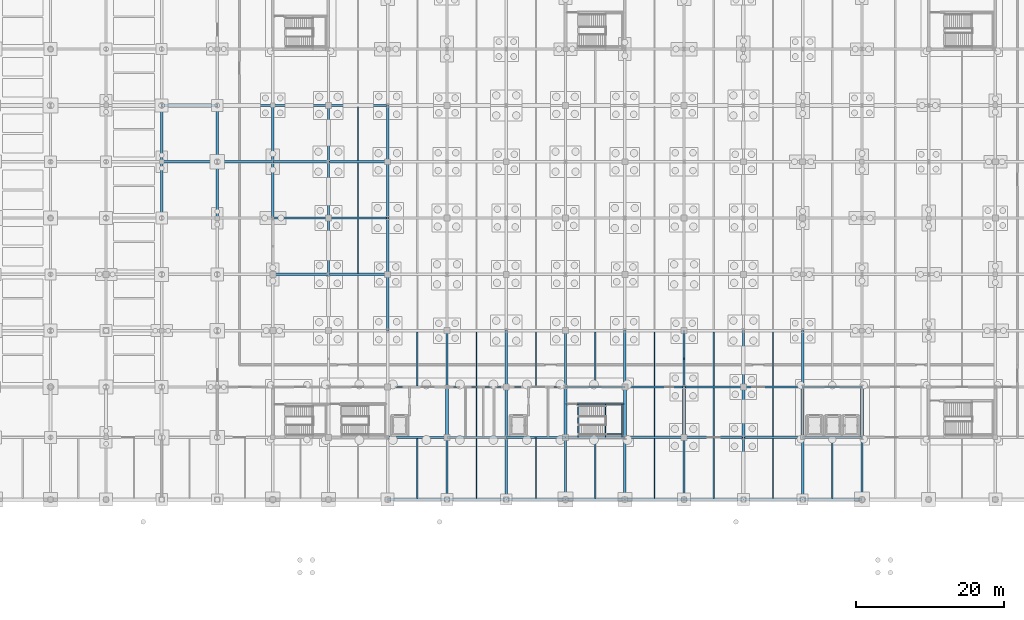
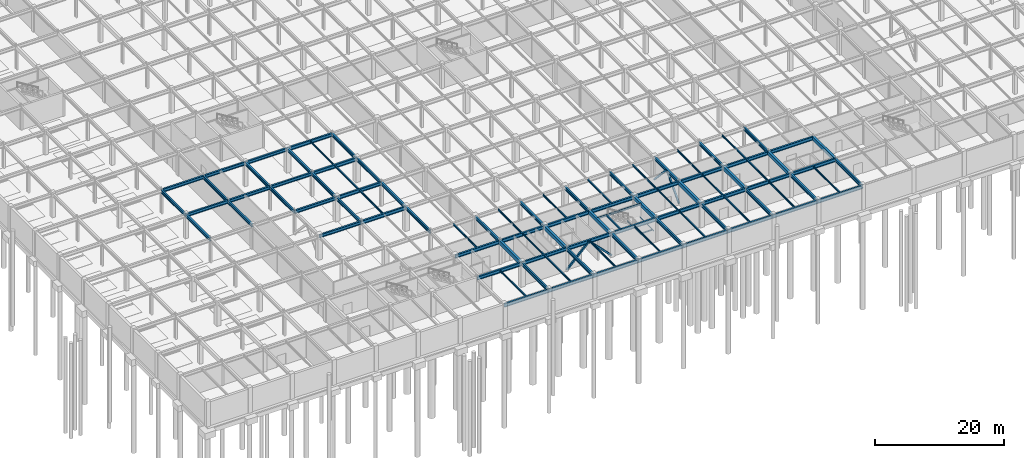
# One storey, part 30 of 53: 99 beams, 4 members.
"""IFC4 building model written with IfcOpenShell, lengths in metres."""

from ifc_helpers import new_model, si_unit, direction, frame, origin, origin_2d, place, context, subcontext, project, spatial, rectangle, hollow_rectangle, i_section, extrude, material, material_profile, profile_set, type_object, element, save


model = new_model("IFC4")

# Units and contexts
model_context = context("Model", 3, precision=1e-05, world=origin(), true_north=direction((0.0, 1.0)))
body_context = subcontext(model_context, "Body", "Model", "MODEL_VIEW")
ifc_project = project(units=[si_unit("LENGTHUNIT", "METRE"), si_unit("AREAUNIT", "SQUARE_METRE"), si_unit("VOLUMEUNIT", "CUBIC_METRE"), si_unit("PLANEANGLEUNIT", "RADIAN"), si_unit("MASSUNIT", "GRAM", prefix="KILO")], contexts=[model_context])

# Site, building, storey
site_placement = place(None, origin())
site = spatial("IfcSite", under=ifc_project, at=site_placement, CompositionType="ELEMENT")
building_placement = place(site_placement, origin())
building = spatial("IfcBuilding", under=site, at=building_placement, Name="Shalkamar Park Central Library", CompositionType="ELEMENT")
storey_placement = place(building_placement, frame((0.0, 0.0, -4.800048828125)))
storey = spatial("IfcBuildingStorey", under=building, at=storey_placement, Name="B1", CompositionType="ELEMENT", Elevation=-4.800048828125)

# Beams
ifc_material_1 = material(Name="Steel S355", Category="steel")
ifc_material_profile_1 = material_profile(ifc_material_1, i_section(OverallWidth=0.10009765625, OverallDepth=0.199951171875, WebThickness=0.005615234375, FlangeThickness=0.008544921875, FilletRadius=0.011962890625, at=origin_2d()), Name="IPE 200")
ifc_profile_set_1 = profile_set([ifc_material_profile_1], Name="Steel S355")
beam_type_1 = type_object("IfcBeamType", Name="Composite Floor Joist IPE200", PredefinedType="JOIST", material=ifc_profile_set_1)
for number, where, z_axis, x_axis, name in (
    (1, (202.39990234375, 248.39990234375, 2.02001953125), (0.0, 1.0, 0.0), (-1.0, 0.0, 0.0), "Stair Half-Landing Beam ST-T2-B1-1"),
    (2, (204.6201171875, 248.39990234375, 2.02001953125), (0.0, 1.0, 0.0), (-1.0, 0.0, 0.0), "Stair Half-Landing Beam ST-T2-B1-2"),
):
    element("IfcBeam", number, at=place(storey_placement, frame(where, z_axis=z_axis, x_axis=x_axis)), inside=storey, type_object=beam_type_1, Name=name, PredefinedType="JOIST", context=body_context, shape_type="SweptSolid", body=[
        extrude(i_section(OverallWidth=0.10009765625, OverallDepth=0.199951171875, WebThickness=0.005615234375, FlangeThickness=0.008544921875, FilletRadius=0.011962890625, at=origin_2d()), origin(), (0.0, 0.0, 1.0), 4.5),
    ])
beam_1_placement = place(storey_placement, frame((202.39990234375, 248.85009765625, 2.02001953125), z_axis=(1.0, 0.0, 0.0), x_axis=(0.0, 1.0, 0.0)))
element("IfcBeam", 3, at=beam_1_placement, inside=storey, type_object=beam_type_1, Name="Stair Half-Landing Cross Tie ST-T2-B1-3", PredefinedType="JOIST", context=body_context, shape_type="SweptSolid", body=[
    extrude(i_section(OverallWidth=0.10009765625, OverallDepth=0.199951171875, WebThickness=0.005615234375, FlangeThickness=0.008544921875, FilletRadius=0.011962890625, at=origin_2d()), origin(), (0.0, 0.0, 1.0), 2.22021484375),
])
ifc_material_profile_2 = material_profile(ifc_material_1, i_section(OverallWidth=0.14990234375, OverallDepth=0.300048828125, WebThickness=0.007080078125, FlangeThickness=0.0107421875, FilletRadius=0.014892578125, at=origin_2d()), Name="IPE 300")
ifc_profile_set_2 = profile_set([ifc_material_profile_2], Name="Steel S355")
beam_type_2 = type_object("IfcBeamType", Name="Composite Floor Joist IPE300", PredefinedType="JOIST", material=ifc_profile_set_2)
beam_2_placement = place(storey_placement, frame((169.0, 285.748046875, 4.360107421875), z_axis=(0.0, 1.0, 0.0), x_axis=(-1.0, 0.0, 0.0)))
element("IfcBeam", 4, at=beam_2_placement, inside=storey, type_object=beam_type_2, Name="Composite Joist 07/G-1 (B1)", PredefinedType="JOIST", context=body_context, shape_type="SweptSolid", body=[
    extrude(i_section(OverallWidth=0.14990234375, OverallDepth=0.300048828125, WebThickness=0.007080078125, FlangeThickness=0.0107421875, FilletRadius=0.014892578125, at=origin_2d()), origin(), (0.0, 0.0, 1.0), 7.303955078125),
])
for number, where, z_axis, x_axis, name in (
    (5, (185.0, 248.548095703125, 4.360107421875), (0.0, 1.0, 0.0), (-1.0, 0.0, 0.0), "Composite Joist 09/B-1 (B1)"),
    (6, (209.0, 248.548095703125, 4.360107421875), (0.0, 1.0, 0.0), (-1.0, 0.0, 0.0), "Composite Joist 12/B-1 (B1)"),
    (7, (217.0, 248.548095703125, 4.360107421875), (0.0, 1.0, 0.0), (-1.0, 0.0, 0.0), "Composite Joist 13/B-1 (B1)"),
    (8, (225.0, 248.548095703125, 4.360107421875), (0.0, 1.0, 0.0), (-1.0, 0.0, 0.0), "Composite Joist 14/B-1 (B1)"),
):
    element("IfcBeam", number, at=place(storey_placement, frame(where, z_axis=z_axis, x_axis=x_axis)), inside=storey, type_object=beam_type_2, Name=name, PredefinedType="JOIST", context=body_context, shape_type="SweptSolid", body=[
        extrude(i_section(OverallWidth=0.14990234375, OverallDepth=0.300048828125, WebThickness=0.007080078125, FlangeThickness=0.0107421875, FilletRadius=0.014892578125, at=origin_2d()), origin(), (0.0, 0.0, 1.0), 6.50390625),
    ])
ifc_material_profile_3 = material_profile(ifc_material_1, i_section(OverallWidth=0.159912109375, OverallDepth=0.330078125, WebThickness=0.007568359375, FlangeThickness=0.011474609375, FilletRadius=0.01806640625, at=origin_2d()), Name="IPE 330")
ifc_profile_set_3 = profile_set([ifc_material_profile_3], Name="Steel S355")
beam_type_3 = type_object("IfcBeamType", Name="Composite Floor Joist IPE330", PredefinedType="JOIST", material=ifc_profile_set_3)
for number, where, z_axis, x_axis, name in (
    (9, (169.0, 270.548095703125, 4.344970703125), (0.0, 1.0, 0.0), (-1.0, 0.0, 0.0), "Composite Joist 07/E-1 (B1)"),
    (10, (169.0, 278.14794921875, 4.344970703125), (0.0, 1.0, 0.0), (-1.0, 0.0, 0.0), "Composite Joist 07/F-1 (B1)"),
):
    element("IfcBeam", number, at=place(storey_placement, frame(where, z_axis=z_axis, x_axis=x_axis)), inside=storey, type_object=beam_type_3, Name=name, PredefinedType="JOIST", context=body_context, shape_type="SweptSolid", body=[
        extrude(i_section(OverallWidth=0.159912109375, OverallDepth=0.330078125, WebThickness=0.007568359375, FlangeThickness=0.011474609375, FilletRadius=0.01806640625, at=origin_2d()), origin(), (0.0, 0.0, 1.0), 7.303955078125),
    ])
beam_3_placement = place(storey_placement, frame((177.0, 240.14794921875, 4.344970703125), z_axis=(0.0, 1.0, 0.0), x_axis=(-1.0, 0.0, 0.0)))
element("IfcBeam", 11, at=beam_3_placement, inside=storey, type_object=beam_type_3, Name="Composite Joist 08/A-1 (B1)", PredefinedType="JOIST", context=body_context, shape_type="SweptSolid", body=[
    extrude(i_section(OverallWidth=0.159912109375, OverallDepth=0.330078125, WebThickness=0.007568359375, FlangeThickness=0.011474609375, FilletRadius=0.01806640625, at=origin_2d()), origin(), (0.0, 0.0, 1.0), 8.10400390625),
])
beam_4_placement = place(storey_placement, frame((177.0, 255.347900390625, 4.344970703125), z_axis=(0.0, 1.0, 0.0), x_axis=(-1.0, 0.0, 0.0)))
element("IfcBeam", 12, at=beam_4_placement, inside=storey, type_object=beam_type_3, Name="Composite Joist 08/C-1 (B1)", PredefinedType="JOIST", context=body_context, shape_type="SweptSolid", body=[
    extrude(i_section(OverallWidth=0.159912109375, OverallDepth=0.330078125, WebThickness=0.007568359375, FlangeThickness=0.011474609375, FilletRadius=0.01806640625, at=origin_2d()), origin(), (0.0, 0.0, 1.0), 7.30419921875),
])
beam_5_placement = place(storey_placement, frame((185.0, 240.14794921875, 4.344970703125), z_axis=(0.0, 1.0, 0.0), x_axis=(-1.0, 0.0, 0.0)))
element("IfcBeam", 13, at=beam_5_placement, inside=storey, type_object=beam_type_3, Name="Composite Joist 09/A-1 (B1)", PredefinedType="JOIST", context=body_context, shape_type="SweptSolid", body=[
    extrude(i_section(OverallWidth=0.159912109375, OverallDepth=0.330078125, WebThickness=0.007568359375, FlangeThickness=0.011474609375, FilletRadius=0.01806640625, at=origin_2d()), origin(), (0.0, 0.0, 1.0), 8.10400390625),
])
beam_6_placement = place(storey_placement, frame((185.0, 255.347900390625, 4.344970703125), z_axis=(0.0, 1.0, 0.0), x_axis=(-1.0, 0.0, 0.0)))
element("IfcBeam", 14, at=beam_6_placement, inside=storey, type_object=beam_type_3, Name="Composite Joist 09/C-1 (B1)", PredefinedType="JOIST", context=body_context, shape_type="SweptSolid", body=[
    extrude(i_section(OverallWidth=0.159912109375, OverallDepth=0.330078125, WebThickness=0.007568359375, FlangeThickness=0.011474609375, FilletRadius=0.01806640625, at=origin_2d()), origin(), (0.0, 0.0, 1.0), 7.30419921875),
])
beam_7_placement = place(storey_placement, frame((193.0, 240.14794921875, 4.344970703125), z_axis=(0.0, 1.0, 0.0), x_axis=(-1.0, 0.0, 0.0)))
element("IfcBeam", 15, at=beam_7_placement, inside=storey, type_object=beam_type_3, Name="Composite Joist 10/A-1 (B1)", PredefinedType="JOIST", context=body_context, shape_type="SweptSolid", body=[
    extrude(i_section(OverallWidth=0.159912109375, OverallDepth=0.330078125, WebThickness=0.007568359375, FlangeThickness=0.011474609375, FilletRadius=0.01806640625, at=origin_2d()), origin(), (0.0, 0.0, 1.0), 8.10400390625),
])
beam_8_placement = place(storey_placement, frame((193.0, 255.347900390625, 4.344970703125), z_axis=(0.0, 1.0, 0.0), x_axis=(-1.0, 0.0, 0.0)))
element("IfcBeam", 16, at=beam_8_placement, inside=storey, type_object=beam_type_3, Name="Composite Joist 10/C-1 (B1)", PredefinedType="JOIST", context=body_context, shape_type="SweptSolid", body=[
    extrude(i_section(OverallWidth=0.159912109375, OverallDepth=0.330078125, WebThickness=0.007568359375, FlangeThickness=0.011474609375, FilletRadius=0.01806640625, at=origin_2d()), origin(), (0.0, 0.0, 1.0), 7.30419921875),
])
beam_9_placement = place(storey_placement, frame((201.0, 240.14794921875, 4.344970703125), z_axis=(0.0, 1.0, 0.0), x_axis=(-1.0, 0.0, 0.0)))
element("IfcBeam", 17, at=beam_9_placement, inside=storey, type_object=beam_type_3, Name="Composite Joist 11/A-1 (B1)", PredefinedType="JOIST", context=body_context, shape_type="SweptSolid", body=[
    extrude(i_section(OverallWidth=0.159912109375, OverallDepth=0.330078125, WebThickness=0.007568359375, FlangeThickness=0.011474609375, FilletRadius=0.01806640625, at=origin_2d()), origin(), (0.0, 0.0, 1.0), 8.10400390625),
])
beam_10_placement = place(storey_placement, frame((201.0, 255.347900390625, 4.344970703125), z_axis=(0.0, 1.0, 0.0), x_axis=(-1.0, 0.0, 0.0)))
element("IfcBeam", 18, at=beam_10_placement, inside=storey, type_object=beam_type_3, Name="Composite Joist 11/C-1 (B1)", PredefinedType="JOIST", context=body_context, shape_type="SweptSolid", body=[
    extrude(i_section(OverallWidth=0.159912109375, OverallDepth=0.330078125, WebThickness=0.007568359375, FlangeThickness=0.011474609375, FilletRadius=0.01806640625, at=origin_2d()), origin(), (0.0, 0.0, 1.0), 7.30419921875),
])
beam_11_placement = place(storey_placement, frame((209.0, 240.14794921875, 4.344970703125), z_axis=(0.0, 1.0, 0.0), x_axis=(-1.0, 0.0, 0.0)))
element("IfcBeam", 19, at=beam_11_placement, inside=storey, type_object=beam_type_3, Name="Composite Joist 12/A-1 (B1)", PredefinedType="JOIST", context=body_context, shape_type="SweptSolid", body=[
    extrude(i_section(OverallWidth=0.159912109375, OverallDepth=0.330078125, WebThickness=0.007568359375, FlangeThickness=0.011474609375, FilletRadius=0.01806640625, at=origin_2d()), origin(), (0.0, 0.0, 1.0), 8.10400390625),
])
beam_12_placement = place(storey_placement, frame((209.0, 255.347900390625, 4.344970703125), z_axis=(0.0, 1.0, 0.0), x_axis=(-1.0, 0.0, 0.0)))
element("IfcBeam", 20, at=beam_12_placement, inside=storey, type_object=beam_type_3, Name="Composite Joist 12/C-1 (B1)", PredefinedType="JOIST", context=body_context, shape_type="SweptSolid", body=[
    extrude(i_section(OverallWidth=0.159912109375, OverallDepth=0.330078125, WebThickness=0.007568359375, FlangeThickness=0.011474609375, FilletRadius=0.01806640625, at=origin_2d()), origin(), (0.0, 0.0, 1.0), 7.30419921875),
])
beam_13_placement = place(storey_placement, frame((217.0, 240.14794921875, 4.344970703125), z_axis=(0.0, 1.0, 0.0), x_axis=(-1.0, 0.0, 0.0)))
element("IfcBeam", 21, at=beam_13_placement, inside=storey, type_object=beam_type_3, Name="Composite Joist 13/A-1 (B1)", PredefinedType="JOIST", context=body_context, shape_type="SweptSolid", body=[
    extrude(i_section(OverallWidth=0.159912109375, OverallDepth=0.330078125, WebThickness=0.007568359375, FlangeThickness=0.011474609375, FilletRadius=0.01806640625, at=origin_2d()), origin(), (0.0, 0.0, 1.0), 8.10400390625),
])
beam_14_placement = place(storey_placement, frame((217.0, 255.347900390625, 4.344970703125), z_axis=(0.0, 1.0, 0.0), x_axis=(-1.0, 0.0, 0.0)))
element("IfcBeam", 22, at=beam_14_placement, inside=storey, type_object=beam_type_3, Name="Composite Joist 13/C-1 (B1)", PredefinedType="JOIST", context=body_context, shape_type="SweptSolid", body=[
    extrude(i_section(OverallWidth=0.159912109375, OverallDepth=0.330078125, WebThickness=0.007568359375, FlangeThickness=0.011474609375, FilletRadius=0.01806640625, at=origin_2d()), origin(), (0.0, 0.0, 1.0), 7.30419921875),
])
beam_15_placement = place(storey_placement, frame((225.0, 240.14794921875, 4.344970703125), z_axis=(0.0, 1.0, 0.0), x_axis=(-1.0, 0.0, 0.0)))
element("IfcBeam", 23, at=beam_15_placement, inside=storey, type_object=beam_type_3, Name="Composite Joist 14/A-1 (B1)", PredefinedType="JOIST", context=body_context, shape_type="SweptSolid", body=[
    extrude(i_section(OverallWidth=0.159912109375, OverallDepth=0.330078125, WebThickness=0.007568359375, FlangeThickness=0.011474609375, FilletRadius=0.01806640625, at=origin_2d()), origin(), (0.0, 0.0, 1.0), 8.10400390625),
])
beam_16_placement = place(storey_placement, frame((225.0, 255.347900390625, 4.344970703125), z_axis=(0.0, 1.0, 0.0), x_axis=(-1.0, 0.0, 0.0)))
element("IfcBeam", 24, at=beam_16_placement, inside=storey, type_object=beam_type_3, Name="Composite Joist 14/C-1 (B1)", PredefinedType="JOIST", context=body_context, shape_type="SweptSolid", body=[
    extrude(i_section(OverallWidth=0.159912109375, OverallDepth=0.330078125, WebThickness=0.007568359375, FlangeThickness=0.011474609375, FilletRadius=0.01806640625, at=origin_2d()), origin(), (0.0, 0.0, 1.0), 7.30419921875),
])
beam_17_placement = place(storey_placement, frame((233.0, 240.14794921875, 4.344970703125), z_axis=(0.0, 1.0, 0.0), x_axis=(-1.0, 0.0, 0.0)))
element("IfcBeam", 25, at=beam_17_placement, inside=storey, type_object=beam_type_3, Name="Composite Joist 15/A-1 (B1)", PredefinedType="JOIST", context=body_context, shape_type="SweptSolid", body=[
    extrude(i_section(OverallWidth=0.159912109375, OverallDepth=0.330078125, WebThickness=0.007568359375, FlangeThickness=0.011474609375, FilletRadius=0.01806640625, at=origin_2d()), origin(), (0.0, 0.0, 1.0), 8.10400390625),
])

# Members
ifc_material_profile_4 = material_profile(ifc_material_1, hollow_rectangle(XDim=0.300048828125, YDim=0.300048828125, WallThickness=0.01611328125, InnerFilletRadius=0.01611328125, OuterFilletRadius=0.02392578125, at=origin_2d()), Name="SHS 300x300x16")
ifc_profile_set_4 = profile_set([ifc_material_profile_4], Name="Steel S355")
member_type = type_object("IfcMemberType", Name="Diagonal Brace SHS300", PredefinedType="BRACE", material=ifc_profile_set_4)
for number, where, z_axis, x_axis, name in (
    (26, (213.0, 255.199951171875, 0.150146484375), (0.0, 0.683364048982, 0.730077788019), (-1.0, 0.0, 0.0), "Chevron Brace TW-E Leg A (B1)"),
    (27, (213.0, 262.800048828125, 0.150146484375), (0.0, -0.683364048982, 0.730077788019), (1.0, 0.0, 0.0), "Chevron Brace TW-E Leg B (B1)"),
):
    element("IfcMember", number, at=place(storey_placement, frame(where, z_axis=z_axis, x_axis=x_axis)), inside=storey, type_object=member_type, Name=name, PredefinedType="BRACE", context=body_context, shape_type="SweptSolid", body=[
        extrude(hollow_rectangle(XDim=0.300048828125, YDim=0.300048828125, WallThickness=0.01611328125, InnerFilletRadius=0.01611328125, OuterFilletRadius=0.02392578125, at=origin_2d()), origin(), (0.0, 0.0, 1.0), 5.560791015625),
    ])
for number, where, z_axis, x_axis, name in (
    (28, (189.0, 248.39990234375, 0.150146484375), (0.701839789296, 0.0, 0.712334830091), (0.0, 1.0, 0.0), "Chevron Brace TW-S Leg A (B1)"),
    (29, (197.0, 248.39990234375, 0.150146484375), (-0.701839789296, 0.0, 0.712334830091), (0.0, -1.0, 0.0), "Chevron Brace TW-S Leg B (B1)"),
):
    element("IfcMember", number, at=place(storey_placement, frame(where, z_axis=z_axis, x_axis=x_axis)), inside=storey, type_object=member_type, Name=name, PredefinedType="BRACE", context=body_context, shape_type="SweptSolid", body=[
        extrude(hollow_rectangle(XDim=0.300048828125, YDim=0.300048828125, WallThickness=0.01611328125, InnerFilletRadius=0.01611328125, OuterFilletRadius=0.02392578125, at=origin_2d()), origin(), (0.0, 0.0, 1.0), 5.69921875),
    ])

# Beams
ifc_material_profile_5 = material_profile(ifc_material_1, i_section(OverallWidth=0.300048828125, OverallDepth=0.60009765625, WebThickness=0.015380859375, FlangeThickness=0.030029296875, FilletRadius=0.027099609375, at=origin_2d()), Name="HEB 600")
ifc_profile_set_5 = profile_set([ifc_material_profile_5], Name="Steel S355")
beam_type_4 = type_object("IfcBeamType", Name="Primary Girder HEB600", PredefinedType="BEAM", material=ifc_profile_set_5)
for number, where, z_axis, x_axis, name in (
    (30, (157.5, 270.39990234375, 4.2099609375), (1.0, 0.0, 0.0), (0.0, 1.0, 0.0), "Beam E:06-07 (B1)"),
    (31, (157.5, 278.0, 4.2099609375), (1.0, 0.0, 0.0), (0.0, 1.0, 0.0), "Beam F:06-07 (B1)"),
    (32, (142.5, 285.60009765625, 4.2099609375), (1.0, 0.0, 0.0), (0.0, 1.0, 0.0), "Beam G:04-05 (B1)"),
    (33, (150.0, 285.60009765625, 4.2099609375), (1.0, 0.0, 0.0), (0.0, 1.0, 0.0), "Beam G:05-06 (B1)"),
    (34, (157.5, 285.60009765625, 4.2099609375), (1.0, 0.0, 0.0), (0.0, 1.0, 0.0), "Beam G:06-07 (B1)"),
    (35, (142.5, 293.199951171875, 4.2099609375), (1.0, 0.0, 0.0), (0.0, 1.0, 0.0), "Beam H:04-05 (B1)"),
    (36, (150.0, 293.199951171875, 4.2099609375), (1.0, 0.0, 0.0), (0.0, 1.0, 0.0), "Beam H:05-06 (B1)"),
    (37, (157.5, 293.199951171875, 4.2099609375), (1.0, 0.0, 0.0), (0.0, 1.0, 0.0), "Beam H:06-07 (B1)"),
):
    element("IfcBeam", number, at=place(storey_placement, frame(where, z_axis=z_axis, x_axis=x_axis)), inside=storey, type_object=beam_type_4, Name=name, PredefinedType="BEAM", context=body_context, shape_type="SweptSolid", body=[
        extrude(i_section(OverallWidth=0.300048828125, OverallDepth=0.60009765625, WebThickness=0.015380859375, FlangeThickness=0.030029296875, FilletRadius=0.027099609375, at=origin_2d()), origin(), (0.0, 0.0, 1.0), 7.5),
    ])
beam_18_placement = place(storey_placement, frame((142.5, 278.0, 4.2099609375), z_axis=(0.0, 1.0, 0.0), x_axis=(-1.0, 0.0, 0.0)))
element("IfcBeam", 38, at=beam_18_placement, inside=storey, type_object=beam_type_4, Name="Beam 04:F-G (B1)", PredefinedType="BEAM", context=body_context, shape_type="SweptSolid", body=[
    extrude(i_section(OverallWidth=0.300048828125, OverallDepth=0.60009765625, WebThickness=0.015380859375, FlangeThickness=0.030029296875, FilletRadius=0.027099609375, at=origin_2d()), origin(), (0.0, 0.0, 1.0), 7.60009765625),
])
beam_19_placement = place(storey_placement, frame((142.5, 285.60009765625, 4.2099609375), z_axis=(0.0, 1.0, 0.0), x_axis=(-1.0, 0.0, 0.0)))
element("IfcBeam", 39, at=beam_19_placement, inside=storey, type_object=beam_type_4, Name="Beam 04:G-H (B1)", PredefinedType="BEAM", context=body_context, shape_type="SweptSolid", body=[
    extrude(i_section(OverallWidth=0.300048828125, OverallDepth=0.60009765625, WebThickness=0.015380859375, FlangeThickness=0.030029296875, FilletRadius=0.027099609375, at=origin_2d()), origin(), (0.0, 0.0, 1.0), 7.599853515625),
])
beam_20_placement = place(storey_placement, frame((150.0, 278.0, 4.2099609375), z_axis=(0.0, 1.0, 0.0), x_axis=(-1.0, 0.0, 0.0)))
element("IfcBeam", 40, at=beam_20_placement, inside=storey, type_object=beam_type_4, Name="Beam 05:F-G (B1)", PredefinedType="BEAM", context=body_context, shape_type="SweptSolid", body=[
    extrude(i_section(OverallWidth=0.300048828125, OverallDepth=0.60009765625, WebThickness=0.015380859375, FlangeThickness=0.030029296875, FilletRadius=0.027099609375, at=origin_2d()), origin(), (0.0, 0.0, 1.0), 7.60009765625),
])
beam_21_placement = place(storey_placement, frame((150.0, 285.60009765625, 4.2099609375), z_axis=(0.0, 1.0, 0.0), x_axis=(-1.0, 0.0, 0.0)))
element("IfcBeam", 41, at=beam_21_placement, inside=storey, type_object=beam_type_4, Name="Beam 05:G-H (B1)", PredefinedType="BEAM", context=body_context, shape_type="SweptSolid", body=[
    extrude(i_section(OverallWidth=0.300048828125, OverallDepth=0.60009765625, WebThickness=0.015380859375, FlangeThickness=0.030029296875, FilletRadius=0.027099609375, at=origin_2d()), origin(), (0.0, 0.0, 1.0), 7.599853515625),
])
beam_22_placement = place(storey_placement, frame((157.5, 278.0, 4.2099609375), z_axis=(0.0, 1.0, 0.0), x_axis=(-1.0, 0.0, 0.0)))
element("IfcBeam", 42, at=beam_22_placement, inside=storey, type_object=beam_type_4, Name="Beam 06:F-G (B1)", PredefinedType="BEAM", context=body_context, shape_type="SweptSolid", body=[
    extrude(i_section(OverallWidth=0.300048828125, OverallDepth=0.60009765625, WebThickness=0.015380859375, FlangeThickness=0.030029296875, FilletRadius=0.027099609375, at=origin_2d()), origin(), (0.0, 0.0, 1.0), 7.60009765625),
])
beam_23_placement = place(storey_placement, frame((157.5, 285.60009765625, 4.2099609375), z_axis=(0.0, 1.0, 0.0), x_axis=(-1.0, 0.0, 0.0)))
element("IfcBeam", 43, at=beam_23_placement, inside=storey, type_object=beam_type_4, Name="Beam 06:G-H (B1)", PredefinedType="BEAM", context=body_context, shape_type="SweptSolid", body=[
    extrude(i_section(OverallWidth=0.300048828125, OverallDepth=0.60009765625, WebThickness=0.015380859375, FlangeThickness=0.030029296875, FilletRadius=0.027099609375, at=origin_2d()), origin(), (0.0, 0.0, 1.0), 7.599853515625),
])
for number, where, z_axis, x_axis, name in (
    (44, (165.0, 270.39990234375, 4.2099609375), (0.0, 1.0, 0.0), (-1.0, 0.0, 0.0), "Beam 07:E-F (B1)"),
    (45, (165.0, 278.0, 4.2099609375), (0.0, 1.0, 0.0), (-1.0, 0.0, 0.0), "Beam 07:F-G (B1)"),
):
    element("IfcBeam", number, at=place(storey_placement, frame(where, z_axis=z_axis, x_axis=x_axis)), inside=storey, type_object=beam_type_4, Name=name, PredefinedType="BEAM", context=body_context, shape_type="SweptSolid", body=[
        extrude(i_section(OverallWidth=0.300048828125, OverallDepth=0.60009765625, WebThickness=0.015380859375, FlangeThickness=0.030029296875, FilletRadius=0.027099609375, at=origin_2d()), origin(), (0.0, 0.0, 1.0), 7.60009765625),
    ])
for number, where, z_axis, x_axis, name in (
    (46, (165.0, 285.60009765625, 4.2099609375), (0.0, 1.0, 0.0), (-1.0, 0.0, 0.0), "Beam 07:G-H (B1)"),
    (47, (173.0, 262.800048828125, 4.2099609375), (0.0, 1.0, 0.0), (-1.0, 0.0, 0.0), "Beam 08:D-E (B1)"),
):
    element("IfcBeam", number, at=place(storey_placement, frame(where, z_axis=z_axis, x_axis=x_axis)), inside=storey, type_object=beam_type_4, Name=name, PredefinedType="BEAM", context=body_context, shape_type="SweptSolid", body=[
        extrude(i_section(OverallWidth=0.300048828125, OverallDepth=0.60009765625, WebThickness=0.015380859375, FlangeThickness=0.030029296875, FilletRadius=0.027099609375, at=origin_2d()), origin(), (0.0, 0.0, 1.0), 7.599853515625),
    ])
for number, where, z_axis, x_axis, name in (
    (48, (173.0, 270.39990234375, 4.2099609375), (0.0, 1.0, 0.0), (-1.0, 0.0, 0.0), "Beam 08:E-F (B1)"),
    (49, (173.0, 278.0, 4.2099609375), (0.0, 1.0, 0.0), (-1.0, 0.0, 0.0), "Beam 08:F-G (B1)"),
):
    element("IfcBeam", number, at=place(storey_placement, frame(where, z_axis=z_axis, x_axis=x_axis)), inside=storey, type_object=beam_type_4, Name=name, PredefinedType="BEAM", context=body_context, shape_type="SweptSolid", body=[
        extrude(i_section(OverallWidth=0.300048828125, OverallDepth=0.60009765625, WebThickness=0.015380859375, FlangeThickness=0.030029296875, FilletRadius=0.027099609375, at=origin_2d()), origin(), (0.0, 0.0, 1.0), 7.60009765625),
    ])
beam_24_placement = place(storey_placement, frame((173.0, 285.60009765625, 4.2099609375), z_axis=(0.0, 1.0, 0.0), x_axis=(-1.0, 0.0, 0.0)))
element("IfcBeam", 50, at=beam_24_placement, inside=storey, type_object=beam_type_4, Name="Beam 08:G-H (B1)", PredefinedType="BEAM", context=body_context, shape_type="SweptSolid", body=[
    extrude(i_section(OverallWidth=0.300048828125, OverallDepth=0.60009765625, WebThickness=0.015380859375, FlangeThickness=0.030029296875, FilletRadius=0.027099609375, at=origin_2d()), origin(), (0.0, 0.0, 1.0), 7.599853515625),
])
for number, where, z_axis, x_axis, name in (
    (51, (181.0, 255.199951171875, 4.2099609375), (0.0, 1.0, 0.0), (-1.0, 0.0, 0.0), "Beam 09:C-D (B1)"),
    (52, (189.0, 255.199951171875, 4.2099609375), (0.0, 1.0, 0.0), (-1.0, 0.0, 0.0), "Beam 10:C-D (B1)"),
    (53, (197.0, 255.199951171875, 4.2099609375), (0.0, 1.0, 0.0), (-1.0, 0.0, 0.0), "Beam 11:C-D (B1)"),
    (54, (205.0, 255.199951171875, 4.2099609375), (0.0, 1.0, 0.0), (-1.0, 0.0, 0.0), "Beam 12:C-D (B1)"),
    (55, (213.0, 255.199951171875, 4.2099609375), (0.0, 1.0, 0.0), (-1.0, 0.0, 0.0), "Beam 13:C-D (B1)"),
    (56, (221.0, 255.199951171875, 4.2099609375), (0.0, 1.0, 0.0), (-1.0, 0.0, 0.0), "Beam 14:C-D (B1)"),
    (57, (229.0, 255.199951171875, 4.2099609375), (0.0, 1.0, 0.0), (-1.0, 0.0, 0.0), "Beam 15:C-D (B1)"),
):
    element("IfcBeam", number, at=place(storey_placement, frame(where, z_axis=z_axis, x_axis=x_axis)), inside=storey, type_object=beam_type_4, Name=name, PredefinedType="BEAM", context=body_context, shape_type="SweptSolid", body=[
        extrude(i_section(OverallWidth=0.300048828125, OverallDepth=0.60009765625, WebThickness=0.015380859375, FlangeThickness=0.030029296875, FilletRadius=0.027099609375, at=origin_2d()), origin(), (0.0, 0.0, 1.0), 7.60009765625),
    ])
ifc_material_profile_6 = material_profile(ifc_material_1, i_section(OverallWidth=0.300048828125, OverallDepth=0.64990234375, WebThickness=0.01611328125, FlangeThickness=0.031005859375, FilletRadius=0.027099609375, at=origin_2d()), Name="HEB 650")
ifc_profile_set_6 = profile_set([ifc_material_profile_6], Name="Steel S355")
beam_type_5 = type_object("IfcBeamType", Name="Primary Girder HEB650", PredefinedType="BEAM", material=ifc_profile_set_6)
for number, where, z_axis, x_axis, name in (
    (58, (173.0, 240.0, 4.18505859375), (1.0, 0.0, 0.0), (0.0, 1.0, 0.0), "Beam A:08-09 (B1)"),
    (59, (181.0, 240.0, 4.18505859375), (1.0, 0.0, 0.0), (0.0, 1.0, 0.0), "Beam A:09-10 (B1)"),
    (60, (189.0, 240.0, 4.18505859375), (1.0, 0.0, 0.0), (0.0, 1.0, 0.0), "Beam A:10-11 (B1)"),
    (61, (197.0, 240.0, 4.18505859375), (1.0, 0.0, 0.0), (0.0, 1.0, 0.0), "Beam A:11-12 (B1)"),
    (62, (205.0, 240.0, 4.18505859375), (1.0, 0.0, 0.0), (0.0, 1.0, 0.0), "Beam A:12-13 (B1)"),
    (63, (213.0, 240.0, 4.18505859375), (1.0, 0.0, 0.0), (0.0, 1.0, 0.0), "Beam A:13-14 (B1)"),
    (64, (221.0, 240.0, 4.18505859375), (1.0, 0.0, 0.0), (0.0, 1.0, 0.0), "Beam A:14-15 (B1)"),
    (65, (229.0, 240.0, 4.18505859375), (1.0, 0.0, 0.0), (0.0, 1.0, 0.0), "Beam A:15-16 (B1)"),
    (66, (173.0, 248.39990234375, 4.18505859375), (1.0, 0.0, 0.0), (0.0, 1.0, 0.0), "Beam B:08-09 (B1)"),
    (67, (181.0, 248.39990234375, 4.18505859375), (1.0, 0.0, 0.0), (0.0, 1.0, 0.0), "Beam B:09-10 (B1)"),
    (68, (189.0, 248.39990234375, 4.18505859375), (1.0, 0.0, 0.0), (0.0, 1.0, 0.0), "Beam B:10-11 (B1)"),
    (69, (197.0, 248.39990234375, 4.18505859375), (1.0, 0.0, 0.0), (0.0, 1.0, 0.0), "Beam B:11-12 (B1)"),
    (70, (205.0, 248.39990234375, 4.18505859375), (1.0, 0.0, 0.0), (0.0, 1.0, 0.0), "Beam B:12-13 (B1)"),
    (71, (213.0, 248.39990234375, 4.18505859375), (1.0, 0.0, 0.0), (0.0, 1.0, 0.0), "Beam B:13-14 (B1)"),
    (72, (221.0, 248.39990234375, 4.18505859375), (1.0, 0.0, 0.0), (0.0, 1.0, 0.0), "Beam B:14-15 (B1)"),
    (73, (229.0, 248.39990234375, 4.18505859375), (1.0, 0.0, 0.0), (0.0, 1.0, 0.0), "Beam B:15-16 (B1)"),
    (74, (173.0, 255.199951171875, 4.18505859375), (1.0, 0.0, 0.0), (0.0, 1.0, 0.0), "Beam C:08-09 (B1)"),
    (75, (181.0, 255.199951171875, 4.18505859375), (1.0, 0.0, 0.0), (0.0, 1.0, 0.0), "Beam C:09-10 (B1)"),
    (76, (189.0, 255.199951171875, 4.18505859375), (1.0, 0.0, 0.0), (0.0, 1.0, 0.0), "Beam C:10-11 (B1)"),
    (77, (197.0, 255.199951171875, 4.18505859375), (1.0, 0.0, 0.0), (0.0, 1.0, 0.0), "Beam C:11-12 (B1)"),
    (78, (205.0, 255.199951171875, 4.18505859375), (1.0, 0.0, 0.0), (0.0, 1.0, 0.0), "Beam C:12-13 (B1)"),
    (79, (213.0, 255.199951171875, 4.18505859375), (1.0, 0.0, 0.0), (0.0, 1.0, 0.0), "Beam C:13-14 (B1)"),
    (80, (221.0, 255.199951171875, 4.18505859375), (1.0, 0.0, 0.0), (0.0, 1.0, 0.0), "Beam C:14-15 (B1)"),
    (81, (229.0, 255.199951171875, 4.18505859375), (1.0, 0.0, 0.0), (0.0, 1.0, 0.0), "Beam C:15-16 (B1)"),
    (82, (165.0, 270.39990234375, 4.18505859375), (1.0, 0.0, 0.0), (0.0, 1.0, 0.0), "Beam E:07-08 (B1)"),
    (83, (165.0, 278.0, 4.18505859375), (1.0, 0.0, 0.0), (0.0, 1.0, 0.0), "Beam F:07-08 (B1)"),
    (84, (165.0, 285.60009765625, 4.18505859375), (1.0, 0.0, 0.0), (0.0, 1.0, 0.0), "Beam G:07-08 (B1)"),
    (85, (165.0, 293.199951171875, 4.18505859375), (1.0, 0.0, 0.0), (0.0, 1.0, 0.0), "Beam H:07-08 (B1)"),
):
    element("IfcBeam", number, at=place(storey_placement, frame(where, z_axis=z_axis, x_axis=x_axis)), inside=storey, type_object=beam_type_5, Name=name, PredefinedType="BEAM", context=body_context, shape_type="SweptSolid", body=[
        extrude(i_section(OverallWidth=0.300048828125, OverallDepth=0.64990234375, WebThickness=0.01611328125, FlangeThickness=0.031005859375, FilletRadius=0.027099609375, at=origin_2d()), origin(), (0.0, 0.0, 1.0), 8.0),
    ])
for number, where, z_axis, x_axis, name in (
    (86, (181.0, 240.0, 4.18505859375), (0.0, 1.0, 0.0), (-1.0, 0.0, 0.0), "Beam 09:A-B (B1)"),
    (87, (189.0, 240.0, 4.18505859375), (0.0, 1.0, 0.0), (-1.0, 0.0, 0.0), "Beam 10:A-B (B1)"),
    (88, (197.0, 240.0, 4.18505859375), (0.0, 1.0, 0.0), (-1.0, 0.0, 0.0), "Beam 11:A-B (B1)"),
    (89, (205.0, 240.0, 4.18505859375), (0.0, 1.0, 0.0), (-1.0, 0.0, 0.0), "Beam 12:A-B (B1)"),
    (90, (213.0, 240.0, 4.18505859375), (0.0, 1.0, 0.0), (-1.0, 0.0, 0.0), "Beam 13:A-B (B1)"),
    (91, (221.0, 240.0, 4.18505859375), (0.0, 1.0, 0.0), (-1.0, 0.0, 0.0), "Beam 14:A-B (B1)"),
    (92, (229.0, 240.0, 4.18505859375), (0.0, 1.0, 0.0), (-1.0, 0.0, 0.0), "Beam 15:A-B (B1)"),
    (93, (237.0, 240.0, 4.18505859375), (0.0, 1.0, 0.0), (-1.0, 0.0, 0.0), "Beam 16:A-B (B1)"),
):
    element("IfcBeam", number, at=place(storey_placement, frame(where, z_axis=z_axis, x_axis=x_axis)), inside=storey, type_object=beam_type_5, Name=name, PredefinedType="BEAM", context=body_context, shape_type="SweptSolid", body=[
        extrude(i_section(OverallWidth=0.300048828125, OverallDepth=0.64990234375, WebThickness=0.01611328125, FlangeThickness=0.031005859375, FilletRadius=0.027099609375, at=origin_2d()), origin(), (0.0, 0.0, 1.0), 8.39990234375),
    ])
ifc_material_profile_7 = material_profile(ifc_material_1, i_section(OverallWidth=0.169921875, OverallDepth=0.360107421875, WebThickness=0.008056640625, FlangeThickness=0.0126953125, FilletRadius=0.01806640625, at=origin_2d()), Name="IPE 360")
ifc_profile_set_7 = profile_set([ifc_material_profile_7], Name="Steel S355")
beam_type_6 = type_object("IfcBeamType", Name="Primary Girder IPE360", PredefinedType="BEAM", material=ifc_profile_set_7)
beam_25_placement = place(storey_placement, frame((197.087890625, 252.89990234375, 4.330078125), z_axis=(1.0, 0.0, 0.0), x_axis=(0.0, 1.0, 0.0)))
element("IfcBeam", 94, at=beam_25_placement, inside=storey, type_object=beam_type_6, Name="CORE-T2 Stairwell Divider Beam (B1)", PredefinedType="BEAM", context=body_context, shape_type="SweptSolid", body=[
    extrude(i_section(OverallWidth=0.169921875, OverallDepth=0.360107421875, WebThickness=0.008056640625, FlangeThickness=0.0126953125, FilletRadius=0.01806640625, at=origin_2d()), origin(), (0.0, 0.0, 1.0), 7.82421875),
])
ifc_material_profile_8 = material_profile(ifc_material_1, hollow_rectangle(XDim=0.199951171875, YDim=0.300048828125, WallThickness=0.011962890625, InnerFilletRadius=0.011962890625, OuterFilletRadius=0.01806640625, at=origin_2d()), Name="RHS 300x200x12")
ifc_profile_set_8 = profile_set([ifc_material_profile_8], Name="Steel S355")
beam_type_7 = type_object("IfcBeamType", Name="Stair Trimmer Box RHS300x200", PredefinedType="BEAM", material=ifc_profile_set_8)
beam_26_placement = place(storey_placement, frame((198.699951171875, 248.39990234375, 4.360107421875), z_axis=(0.0, 1.0, 0.0), x_axis=(-1.0, 0.0, 0.0)))
element("IfcBeam", 95, at=beam_26_placement, inside=storey, type_object=beam_type_7, Name="Stair Arrival Trimmer Girder ST-T2-B1", PredefinedType="BEAM", context=body_context, shape_type="SweptSolid", body=[
    extrude(hollow_rectangle(XDim=0.199951171875, YDim=0.300048828125, WallThickness=0.011962890625, InnerFilletRadius=0.011962890625, OuterFilletRadius=0.01806640625, at=origin_2d()), origin(), (0.0, 0.0, 1.0), 4.5),
])
ifc_material_2 = material(Name="Concrete C35/45", Category="concrete")
ifc_material_profile_9 = material_profile(ifc_material_2, rectangle(XDim=0.39990234375, YDim=0.699951171875, at=origin_2d()), Name="RC 400x700")
ifc_profile_set_9 = profile_set([ifc_material_profile_9], Name="Concrete C35/45")
beam_type_8 = type_object("IfcBeamType", Name="Substructure Plinth Beam RC400x700", PredefinedType="BEAM", material=ifc_profile_set_9)
for number, where, z_axis, x_axis, name in (
    (96, (181.0, 248.39990234375, 4.16015625), (0.0, 1.0, 0.0), (-1.0, 0.0, 0.0), "Beam 09:B-C (B1)"),
    (97, (189.0, 248.39990234375, 4.16015625), (0.0, 1.0, 0.0), (-1.0, 0.0, 0.0), "Beam 10:B-C (B1)"),
    (98, (197.0, 248.39990234375, 4.16015625), (0.0, 1.0, 0.0), (-1.0, 0.0, 0.0), "Beam 11:B-C (B1)"),
    (99, (205.0, 248.39990234375, 4.16015625), (0.0, 1.0, 0.0), (-1.0, 0.0, 0.0), "Beam 12:B-C (B1)"),
    (100, (213.0, 248.39990234375, 4.16015625), (0.0, 1.0, 0.0), (-1.0, 0.0, 0.0), "Beam 13:B-C (B1)"),
    (101, (221.0, 248.39990234375, 4.16015625), (0.0, 1.0, 0.0), (-1.0, 0.0, 0.0), "Beam 14:B-C (B1)"),
    (102, (229.0, 248.39990234375, 4.16015625), (0.0, 1.0, 0.0), (-1.0, 0.0, 0.0), "Beam 15:B-C (B1)"),
    (103, (237.0, 248.39990234375, 4.16015625), (0.0, 1.0, 0.0), (-1.0, 0.0, 0.0), "Beam 16:B-C (B1)"),
):
    element("IfcBeam", number, at=place(storey_placement, frame(where, z_axis=z_axis, x_axis=x_axis)), inside=storey, type_object=beam_type_8, Name=name, PredefinedType="BEAM", context=body_context, shape_type="SweptSolid", body=[
        extrude(rectangle(XDim=0.39990234375, YDim=0.699951171875, at=origin_2d()), origin(), (0.0, 0.0, 1.0), 6.800048828125),
    ])

save(model, "model.ifc")
